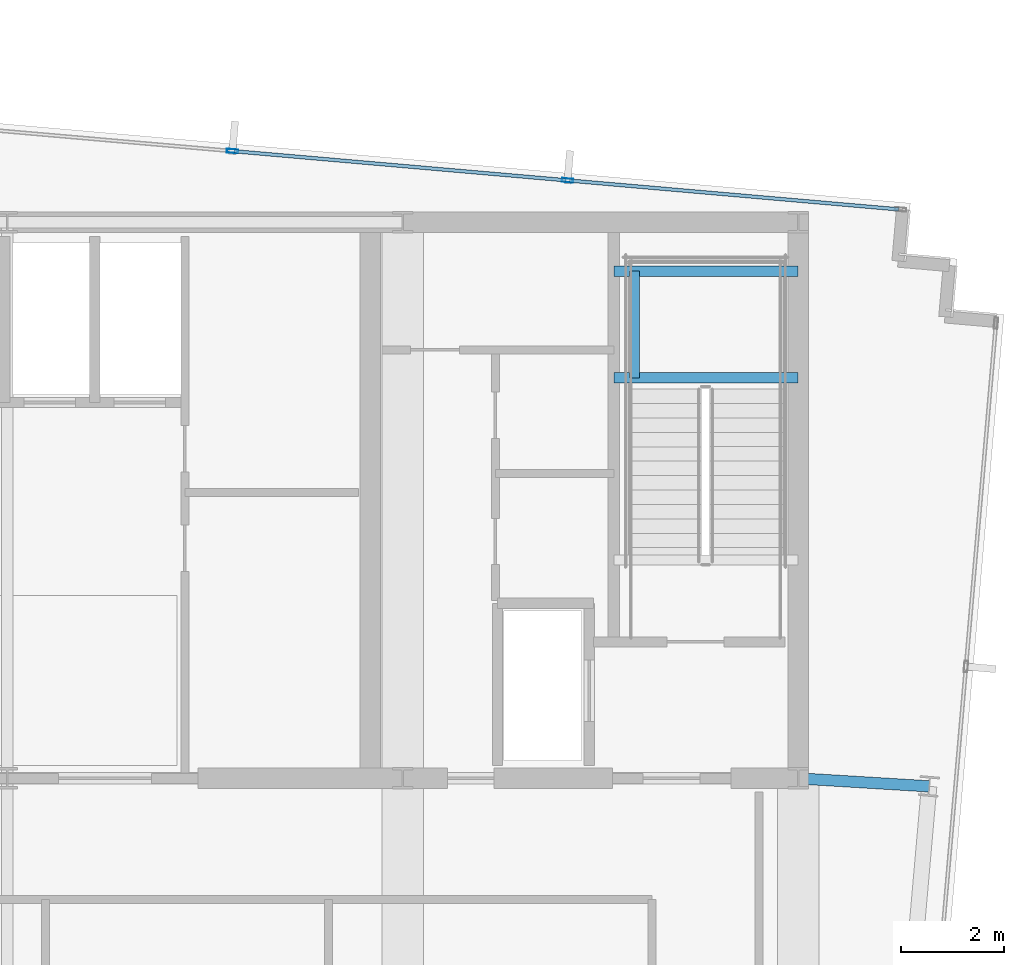
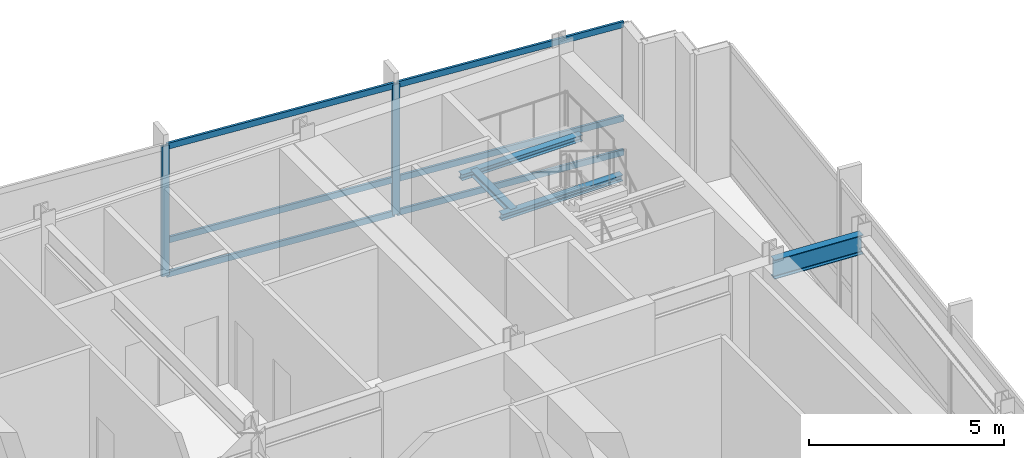
# One storey, part 14 of 25: 8 members, 4 beams, 1 element without a shape of its own.
"""IFC4 building model written with IfcOpenShell, lengths in metres."""

import ifcopenshell
import ifcopenshell.guid

model = None  # the IFC model being written
_history = None  # IfcOwnerHistory: only IFC2X3 demands one
_inside = {}  # id of a spatial element -> (the spatial element, [elements in it])
_under = {}  # id of a project, library or spatial element -> (it, [spatial elements below it])
_declared = {}  # id of a project -> (the project, [libraries it declares])
_typed = {}  # id of a type object -> (the type object, [elements of that type])
_made_of = {}  # id of a material, layer set ... -> (it, [elements and type objects made of it])


def new_model(schema):
    """Start an empty IFC model of exactly this schema.

    Asked for "IFC4X3", IfcOpenShell would pick the latest addendum, in which some entities
    have other attributes; the version numbers below select the first issue.
    IFC2X3 requires an IfcOwnerHistory on every rooted entity: one is made here for all.
    """
    global model, _history
    if schema == "IFC4X3":
        model = ifcopenshell.file(schema_version=(4, 3, 0, 0))
    else:
        model = ifcopenshell.file(schema=schema)
    _inside.clear()
    _under.clear()
    _declared.clear()
    _typed.clear()
    _made_of.clear()
    _history = None
    if model.schema == "IFC2X3":
        org = make("IfcOrganization", Name="unknown")
        user = make(
            "IfcPersonAndOrganization",
            ThePerson=make("IfcPerson", FamilyName="unknown"),
            TheOrganization=org,
        )
        app = make(
            "IfcApplication",
            ApplicationDeveloper=org,
            Version="unknown",
            ApplicationFullName="unknown",
            ApplicationIdentifier="unknown",
        )
        _history = make(
            "IfcOwnerHistory",
            OwningUser=user,
            OwningApplication=app,
            ChangeAction="ADDED",
            CreationDate=0,
        )
    return model


def make(cls, **values):
    """One entity of the class cls with the attributes given. An attribute that is None is left unset."""
    return model.create_entity(
        cls, **{name: value for name, value in values.items() if value is not None}
    )


def rooted(cls, **values):
    """An entity with a GlobalId (a new one), such as an element, a storey or a relation."""
    return make(cls, GlobalId=ifcopenshell.guid.new(), OwnerHistory=_history, **values)


def si_unit(unit_type, name, prefix=None):
    """IfcSIUnit, for example si_unit("LENGTHUNIT", "METRE", prefix="MILLI")."""
    return make("IfcSIUnit", UnitType=unit_type, Prefix=prefix, Name=name)


def assignment(units):
    """IfcUnitAssignment: the units of a project."""
    return None if units is None else make("IfcUnitAssignment", Units=units)


def point(xyz):
    """IfcCartesianPoint."""
    return None if xyz is None else make("IfcCartesianPoint", Coordinates=xyz)


def direction(xyz):
    """IfcDirection."""
    return None if xyz is None else make("IfcDirection", DirectionRatios=xyz)


def frame(location, z_axis=None, x_axis=None):
    """IfcAxis2Placement3D, a coordinate frame: its origin and axes. An axis left out is left unset."""
    return make(
        "IfcAxis2Placement3D",
        Location=point(location),
        Axis=direction(z_axis),
        RefDirection=direction(x_axis),
    )


def frame_2d(location, x_axis=None):
    """IfcAxis2Placement2D, a coordinate frame in the plane: its origin and x axis."""
    return make(
        "IfcAxis2Placement2D", Location=point(location), RefDirection=direction(x_axis)
    )


def origin():
    """The frame at (0, 0, 0) with its axes left unset."""
    return frame((0.0, 0.0, 0.0))


def origin_2d():
    """The frame at (0, 0) in the plane with its x axis left unset."""
    return frame_2d((0.0, 0.0))


def place(relative_to, where):
    """IfcLocalPlacement: puts the frame where relative to a parent placement (None: the world)."""
    return make(
        "IfcLocalPlacement", PlacementRelTo=relative_to, RelativePlacement=where
    )


def context(
    kind, dimensions, precision=None, world=None, true_north=None, identifier=None
):
    """IfcGeometricRepresentationContext, for example the 3D "Model" context."""
    return make(
        "IfcGeometricRepresentationContext",
        ContextIdentifier=identifier,
        ContextType=kind,
        CoordinateSpaceDimension=dimensions,
        Precision=precision,
        WorldCoordinateSystem=world,
        TrueNorth=true_north,
    )


def subcontext(parent, identifier, kind, view, scale=None):
    """IfcGeometricRepresentationSubContext, for example "Body" below "Model"."""
    return make(
        "IfcGeometricRepresentationSubContext",
        ContextIdentifier=identifier,
        ContextType=kind,
        ParentContext=parent,
        TargetScale=scale,
        TargetView=view,
    )


def project(units=None, contexts=None):
    """IfcProject with its units and contexts."""
    return rooted(
        "IfcProject",
        Name="project",
        RepresentationContexts=contexts,
        UnitsInContext=assignment(units),
    )


def spatial(cls, under=None, at=None, **own):
    """A site, building, storey or space (cls), placed at a placement, below another one or the project."""
    s = rooted(cls, ObjectPlacement=at, **own)
    if under is not None:
        _under.setdefault(under.id(), (under, []))[1].append(s)
    return s


def profile(cls, at=None, kind="AREA", **sizes):
    """A parametric profile (cls). Its sizes go by their IFC names, for example OverallWidth=200.0."""
    return make(cls, ProfileType=kind, Position=at, **sizes)


def hollow_rectangle(**sizes):
    """IfcRectangleHollowProfileDef."""
    return profile("IfcRectangleHollowProfileDef", **sizes)


def i_section(**sizes):
    """IfcIShapeProfileDef."""
    return profile("IfcIShapeProfileDef", **sizes)


def extrude(swept, where, along, depth):
    """IfcExtrudedAreaSolid: the profile swept, set in the frame where, extruded along a direction by depth."""
    return make(
        "IfcExtrudedAreaSolid",
        SweptArea=swept,
        Position=where,
        ExtrudedDirection=direction(along),
        Depth=depth,
    )


def shape(context_of_items, identifier, shape_type, items):
    """IfcShapeRepresentation: the items that make up one representation, for example the "Body"."""
    return make(
        "IfcShapeRepresentation",
        ContextOfItems=context_of_items,
        RepresentationIdentifier=identifier,
        RepresentationType=shape_type,
        Items=items,
    )


def material(Name=None, Category=None):
    """IfcMaterial."""
    return make("IfcMaterial", Name=Name, Category=Category)


def material_profile(
    of_material, cross_section, Name=None, Category=None, Priority=None
):
    """IfcMaterialProfile: a cross section and its material."""
    return make(
        "IfcMaterialProfile",
        Name=Name,
        Material=of_material,
        Profile=cross_section,
        Priority=Priority,
        Category=Category,
    )


def profile_set(profiles, Name=None, composite=None):
    """IfcMaterialProfileSet."""
    return make(
        "IfcMaterialProfileSet",
        Name=Name,
        MaterialProfiles=profiles,
        CompositeProfile=composite,
    )


def made_of(thing, what):
    """Note that an element or type object is made of a material, layer set ...; save() writes the relation."""
    if what is not None:
        _made_of.setdefault(what.id(), (what, []))[1].append(thing)
    return thing


def type_object(cls, material=None, **own):
    """A type object (cls), such as IfcWallType, which elements share."""
    return made_of(rooted(cls, **own), material)


def element(
    cls,
    number,
    at=None,
    inside=None,
    cuts=None,
    type_object=None,
    material=None,
    context=None,
    identifier="Body",
    shape_type=None,
    held_by="IfcProductDefinitionShape",
    body=None,
    shapes=None,
    **own,
):
    """One element of the class cls, such as IfcWall. Its Tag is "e" and its number.

    at: its placement. inside: the storey or other place that contains it. cuts: it is an
    opening in that element (IfcRelVoidsElement). A single representation is given by context,
    identifier, shape_type and body (its items); several are given by shapes. held_by: the class
    of the entity that holds the representations. save() writes the other relations.
    """
    e = rooted(cls, Tag="e%d" % number, ObjectPlacement=at, **own)
    if body is not None:
        shapes = [shape(context, identifier, shape_type, body)]
    if shapes is not None:
        e.Representation = make(held_by, Representations=shapes)
    if inside is not None:
        _inside.setdefault(inside.id(), (inside, []))[1].append(e)
    if cuts is not None:
        rooted(
            "IfcRelVoidsElement", RelatingBuildingElement=cuts, RelatedOpeningElement=e
        )
    if type_object is not None:
        _typed.setdefault(type_object.id(), (type_object, []))[1].append(e)
    return made_of(e, material)


def aggregate(whole, parts):
    """IfcRelAggregates: a whole, such as a stair, and the parts it consists of."""
    return rooted("IfcRelAggregates", RelatingObject=whole, RelatedObjects=parts)


def save(model, path):
    """Write the relations noted so far, then the file.

    IfcRelAggregates (storeys below a building ...), IfcRelContainedInSpatialStructure (elements
    in a storey), IfcRelDefinesByType, IfcRelAssociatesMaterial and IfcRelDeclares: one each for
    every whole, place, type object, material and project.
    """
    for whole, parts in _under.values():
        aggregate(whole, parts)
    for where, things in _inside.values():
        rooted(
            "IfcRelContainedInSpatialStructure",
            RelatedElements=things,
            RelatingStructure=where,
        )
    for kind, things in _typed.values():
        rooted("IfcRelDefinesByType", RelatedObjects=things, RelatingType=kind)
    for what, things in _made_of.values():
        rooted("IfcRelAssociatesMaterial", RelatedObjects=things, RelatingMaterial=what)
    for by, libraries in _declared.values():
        rooted("IfcRelDeclares", RelatingContext=by, RelatedDefinitions=libraries)
    model.write(path)


model = new_model("IFC4")

# Units and contexts
model_context = context("Model", 3, precision=1e-05, world=origin(), true_north=direction((0.0, 1.0)))
body_context = subcontext(model_context, "Body", "Model", "MODEL_VIEW")
ifc_project = project(units=[si_unit("LENGTHUNIT", "METRE"), si_unit("AREAUNIT", "SQUARE_METRE"), si_unit("VOLUMEUNIT", "CUBIC_METRE"), si_unit("PLANEANGLEUNIT", "RADIAN"), si_unit("MASSUNIT", "GRAM", prefix="KILO")], contexts=[model_context])

# Site, building, storey
site_placement = place(None, origin())
site = spatial("IfcSite", under=ifc_project, at=site_placement, CompositionType="ELEMENT")
building_placement = place(site_placement, origin())
building = spatial("IfcBuilding", under=site, at=building_placement, Name="Yelkora Congress Tower", CompositionType="ELEMENT")
storey_placement = place(building_placement, frame((0.0, 0.0, 299.89990234375)))
storey = spatial("IfcBuildingStorey", under=building, at=storey_placement, Name="L84", CompositionType="ELEMENT", Elevation=299.89990234375)

# Beams
ifc_material_1 = material(Name="Steel S355J2", Category="steel")
ifc_material_profile_1 = material_profile(ifc_material_1, i_section(OverallWidth=0.219970703125, OverallDepth=0.60009765625, WebThickness=0.011962890625, FlangeThickness=0.01904296875, FilletRadius=0.02392578125, at=origin_2d()), Name="IPE 600")
ifc_profile_set_1 = profile_set([ifc_material_profile_1], Name="Steel S355J2")
beam_type_1 = type_object("IfcBeamType", Name="BM-GIRD-IPE600", PredefinedType="BEAM", material=ifc_profile_set_1)
beam_1_placement = place(storey_placement, frame((56.302001953125, 35.24560546875, 3.780029296875), z_axis=(-0.99816287892, 0.060587681471, 0.0), x_axis=(-0.060587681471, -0.99816287892, 0.0)))
element("IfcBeam", 1, at=beam_1_placement, inside=storey, type_object=beam_type_1, Name="L84 Primary Frame Girder E02", PredefinedType="BEAM", context=body_context, shape_type="SweptSolid", body=[
    extrude(i_section(OverallWidth=0.219970703125, OverallDepth=0.60009765625, WebThickness=0.011962890625, FlangeThickness=0.01904296875, FilletRadius=0.02392578125, at=origin_2d()), origin(), (0.0, 0.0, 1.0), 2.546630859375),
])
ifc_material_profile_2 = material_profile(ifc_material_1, i_section(OverallWidth=0.199951171875, OverallDepth=0.18994140625, WebThickness=0.006591796875, FlangeThickness=0.010009765625, FilletRadius=0.01806640625, at=origin_2d()), Name="HEA 200")
ifc_profile_set_2 = profile_set([ifc_material_profile_2], Name="Steel S355J2")
beam_type_2 = type_object("IfcBeamType", Name="BM-LAND-HEA200", PredefinedType="BEAM", material=ifc_profile_set_2)
for number, where, z_axis, x_axis, name in (
    (2, (50.179931640625, 43.179931640625, 1.934814453125), (1.0, 0.0, 0.0), (0.0, 1.0, 0.0), "ST-02 L84 Landing Header Beam 1S"),
    (3, (50.179931640625, 45.25, 1.934814453125), (1.0, 0.0, 0.0), (0.0, 1.0, 0.0), "ST-02 L84 Landing Header Beam 1N"),
):
    element("IfcBeam", number, at=place(storey_placement, frame(where, z_axis=z_axis, x_axis=x_axis)), inside=storey, type_object=beam_type_2, Name=name, PredefinedType="BEAM", context=body_context, shape_type="SweptSolid", body=[
        extrude(i_section(OverallWidth=0.199951171875, OverallDepth=0.18994140625, WebThickness=0.006591796875, FlangeThickness=0.010009765625, FilletRadius=0.01806640625, at=origin_2d()), origin(), (0.0, 0.0, 1.0), 3.580078125),
    ])
beam_2_placement = place(storey_placement, frame((50.580078125, 43.179931640625, 1.934814453125), z_axis=(0.0, 1.0, 0.0), x_axis=(-1.0, 0.0, 0.0)))
element("IfcBeam", 4, at=beam_2_placement, inside=storey, type_object=beam_type_2, Name="ST-02 L84 Landing Trimmer Beam 1M", PredefinedType="BEAM", context=body_context, shape_type="SweptSolid", body=[
    extrude(i_section(OverallWidth=0.199951171875, OverallDepth=0.18994140625, WebThickness=0.006591796875, FlangeThickness=0.010009765625, FilletRadius=0.01806640625, at=origin_2d()), origin(), (0.0, 0.0, 1.0), 2.070068359375),
])

# Curtain wall, members
ifc_material_2 = material(Name="Anodised aluminium and insulated glass", Category="aluminium")
curtain_wall_type = type_object("IfcCurtainWallType", Name="CW-SYS-SKY", PredefinedType="NOTDEFINED", material=ifc_material_2)
curtain_wall_placement = place(storey_placement, origin())
curtain_wall = element("IfcCurtainWall", 5, at=curtain_wall_placement, inside=storey, type_object=curtain_wall_type, Name="L84 Unitised Curtain Wall 10", PredefinedType="NOTDEFINED")
ifc_material_3 = material(Name="Anodised aluminium 6063-T6", Category="aluminium")
ifc_material_profile_3 = material_profile(ifc_material_3, hollow_rectangle(XDim=0.074951171875, YDim=0.219970703125, WallThickness=0.0048828125, at=origin_2d()), Name="ALU 75x220x5")
ifc_profile_set_3 = profile_set([ifc_material_profile_3], Name="Anodised aluminium 6063-T6")
member_type_1 = type_object("IfcMemberType", Name="MEM-ML-SKY", PredefinedType="MULLION", material=ifc_profile_set_3)
member_1_placement = place(storey_placement, frame((42.77294921875, 47.58154296875, 0.0), z_axis=(0.0, 0.0, 1.0), x_axis=(0.087156639893, 0.996194619601, 0.0)))
member_1 = element("IfcMember", 6, at=member_1_placement, type_object=member_type_1, Name="CW-SKY mullion 6", PredefinedType="MULLION", context=body_context, shape_type="SweptSolid", body=[
    extrude(hollow_rectangle(XDim=0.074951171875, YDim=0.219970703125, WallThickness=0.0048828125, at=origin_2d()), origin(), (0.0, 0.0, 1.0), 4.080078125),
])
member_2_placement = place(storey_placement, frame((49.279541015625, 47.01220703125, 0.0), z_axis=(0.0, 0.0, 1.0), x_axis=(0.087156639893, 0.996194619601, 0.0)))
member_2 = element("IfcMember", 7, at=member_2_placement, type_object=member_type_1, Name="CW-SKY mullion 7", PredefinedType="MULLION", context=body_context, shape_type="SweptSolid", body=[
    extrude(hollow_rectangle(XDim=0.074951171875, YDim=0.219970703125, WallThickness=0.0048828125, at=origin_2d()), origin(), (0.0, 0.0, 1.0), 4.080078125),
])
ifc_material_profile_4 = material_profile(ifc_material_3, hollow_rectangle(XDim=0.070068359375, YDim=0.18994140625, WallThickness=0.00390625, at=origin_2d()), Name="ALU 70x190x4")
ifc_profile_set_4 = profile_set([ifc_material_profile_4], Name="Anodised aluminium 6063-T6")
member_type_2 = type_object("IfcMemberType", Name="MEM-TR-SKY", PredefinedType="USERDEFINED", material=ifc_profile_set_4)
member_3_placement = place(storey_placement, frame((42.810302734375, 47.578125, 0.03515625), z_axis=(0.996197615709, -0.0871223878, 0.0), x_axis=(0.0871223878, 0.996197615709, 0.0)))
member_3 = element("IfcMember", 8, at=member_3_placement, type_object=member_type_2, Name="CW-SKY transom 6.1", ObjectType="TRANSOM", PredefinedType="USERDEFINED", context=body_context, shape_type="SweptSolid", body=[
    extrude(hollow_rectangle(XDim=0.070068359375, YDim=0.18994140625, WallThickness=0.00390625, at=origin_2d()), origin(), (0.0, 0.0, 1.0), 6.45654296875),
])
member_4_placement = place(storey_placement, frame((42.810302734375, 47.578125, 1.10009765625), z_axis=(0.996197615709, -0.0871223878, 0.0), x_axis=(0.0871223878, 0.996197615709, 0.0)))
member_4 = element("IfcMember", 9, at=member_4_placement, type_object=member_type_2, Name="CW-SKY transom 6.2", ObjectType="TRANSOM", PredefinedType="USERDEFINED", context=body_context, shape_type="SweptSolid", body=[
    extrude(hollow_rectangle(XDim=0.070068359375, YDim=0.18994140625, WallThickness=0.00390625, at=origin_2d()), origin(), (0.0, 0.0, 1.0), 6.45654296875),
])
member_5_placement = place(storey_placement, frame((42.810302734375, 47.578125, 4.045166015625), z_axis=(0.996197615709, -0.0871223878, 0.0), x_axis=(0.0871223878, 0.996197615709, 0.0)))
member_5 = element("IfcMember", 10, at=member_5_placement, type_object=member_type_2, Name="CW-SKY transom 6.3", ObjectType="TRANSOM", PredefinedType="USERDEFINED", context=body_context, shape_type="SweptSolid", body=[
    extrude(hollow_rectangle(XDim=0.070068359375, YDim=0.18994140625, WallThickness=0.00390625, at=origin_2d()), origin(), (0.0, 0.0, 1.0), 6.45654296875),
])
member_6_placement = place(storey_placement, frame((49.31689453125, 47.009033203125, 0.03515625), z_axis=(0.996192767872, -0.08717780245, 0.0), x_axis=(0.08717780245, 0.996192767872, 0.0)))
member_6 = element("IfcMember", 11, at=member_6_placement, type_object=member_type_2, Name="CW-SKY transom 7.1", ObjectType="TRANSOM", PredefinedType="USERDEFINED", context=body_context, shape_type="SweptSolid", body=[
    extrude(hollow_rectangle(XDim=0.070068359375, YDim=0.18994140625, WallThickness=0.00390625, at=origin_2d()), origin(), (0.0, 0.0, 1.0), 6.418701171875),
])
member_7_placement = place(storey_placement, frame((49.31689453125, 47.009033203125, 1.10009765625), z_axis=(0.996192767872, -0.08717780245, 0.0), x_axis=(0.08717780245, 0.996192767872, 0.0)))
member_7 = element("IfcMember", 12, at=member_7_placement, type_object=member_type_2, Name="CW-SKY transom 7.2", ObjectType="TRANSOM", PredefinedType="USERDEFINED", context=body_context, shape_type="SweptSolid", body=[
    extrude(hollow_rectangle(XDim=0.070068359375, YDim=0.18994140625, WallThickness=0.00390625, at=origin_2d()), origin(), (0.0, 0.0, 1.0), 6.418701171875),
])
member_8_placement = place(storey_placement, frame((49.31689453125, 47.009033203125, 4.045166015625), z_axis=(0.996192767872, -0.08717780245, 0.0), x_axis=(0.08717780245, 0.996192767872, 0.0)))
member_8 = element("IfcMember", 13, at=member_8_placement, type_object=member_type_2, Name="CW-SKY transom 7.3", ObjectType="TRANSOM", PredefinedType="USERDEFINED", context=body_context, shape_type="SweptSolid", body=[
    extrude(hollow_rectangle(XDim=0.070068359375, YDim=0.18994140625, WallThickness=0.00390625, at=origin_2d()), origin(), (0.0, 0.0, 1.0), 6.418701171875),
])
aggregate(curtain_wall, [member_1, member_2, member_3, member_4, member_5, member_6, member_7, member_8])

save(model, "model.ifc")
